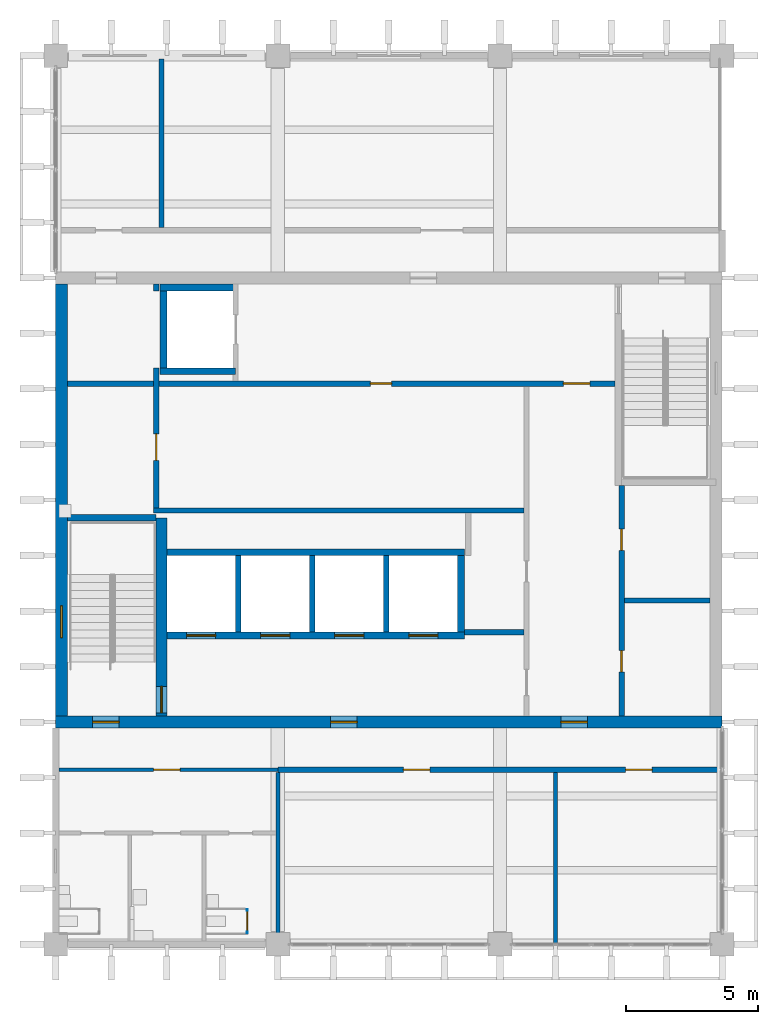
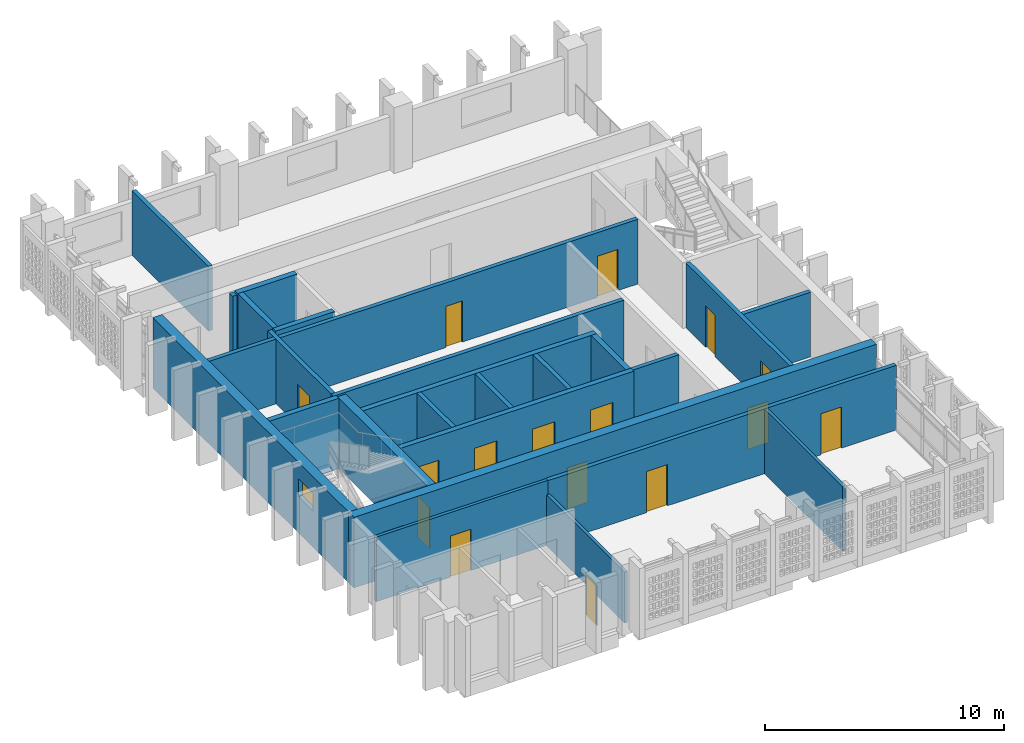
# One storey, part 5 of 13: 26 walls, 17 doors, 1 window, 18 openings.
"""IFC4 building model written with IfcOpenShell, lengths in metres."""

from ifc_helpers import new_model, si_unit, direction, frame, frame_2d, origin, place, context, subcontext, project, spatial, rectangle, extrude, material, layer, layer_set, type_object, element, fill, save


model = new_model("IFC4")

# Units and contexts
model_context = context("Model", 3, precision=1e-05, world=origin(), true_north=direction((0.0, 1.0)))
body_context = subcontext(model_context, "Body", "Model", "MODEL_VIEW")
ifc_project = project(units=[si_unit("LENGTHUNIT", "METRE"), si_unit("AREAUNIT", "SQUARE_METRE"), si_unit("VOLUMEUNIT", "CUBIC_METRE"), si_unit("PLANEANGLEUNIT", "RADIAN"), si_unit("MASSUNIT", "GRAM", prefix="KILO")], contexts=[model_context])

# Site, building, storey
site_placement = place(None, origin())
site = spatial("IfcSite", under=ifc_project, at=site_placement, CompositionType="ELEMENT")
building_placement = place(site_placement, origin())
building = spatial("IfcBuilding", under=site, at=building_placement, Name="Rulbaag Community and Learning Centre", CompositionType="ELEMENT")
storey_placement = place(building_placement, frame((0.0, 0.0, 25.199951171875)))
storey = spatial("IfcBuildingStorey", under=building, at=storey_placement, Name="L06", CompositionType="ELEMENT", Elevation=25.199951171875)

# Wall, opening, door
ifc_material_1 = material(Name="High pressure laminate", Category="wood")
ifc_layer_1 = layer(ifc_material_1, 0.0400390625)
ifc_layer_set_1 = layer_set([ifc_layer_1], Name="CP-40")
wall_type_1 = type_object("IfcWallType", Name="CP-40", PredefinedType="PARTITIONING", material=ifc_layer_set_1)
wall_1_placement = place(storey_placement, frame((150.050048828125, 84.419921875, 0.0), z_axis=(0.0, 0.0, 1.0), x_axis=(0.0, 1.0, 0.0)))
wall_1 = element("IfcWall", 1, at=wall_1_placement, inside=storey, type_object=wall_type_1, Name="Cubicle partition", PredefinedType="PARTITIONING", context=body_context, shape_type="SweptSolid", body=[
    extrude(rectangle(XDim=0.900146484375, YDim=0.0400390625, at=frame_2d((0.4501953125, 0.0))), origin(), (0.0, 0.0, 1.0), 2.0),
])
opening_1_placement = place(wall_1_placement, frame((0.050048828125, 0.0, 0.0)))
opening_1 = element("IfcOpeningElement", 2, at=opening_1_placement, cuts=wall_1, Name="Opening L06-D013", PredefinedType="OPENING", context=body_context, shape_type="SweptSolid", body=[
    extrude(rectangle(XDim=0.800048828125, YDim=2.0, at=frame_2d((0.39990234375, 1.0))), frame((0.0, 0.030029296875, 0.0), z_axis=(0.0, -1.0, 0.0), x_axis=(1.0, 0.0, 0.0)), (0.0, 0.0, 1.0), 0.06005859375),
])
door_type_1 = type_object("IfcDoorType", Name="DC-80", OperationType="SINGLE_SWING_LEFT", PredefinedType="DOOR", material=ifc_material_1)
door_1_placement = place(opening_1_placement, origin())
door_1 = element("IfcDoor", 3, at=door_1_placement, inside=storey, type_object=door_type_1, Name="Cubicle door", OperationType="SINGLE_SWING_LEFT", OverallHeight=2.0, OverallWidth=0.800048828125, PredefinedType="DOOR", context=body_context, shape_type="SweptSolid", body=[
    extrude(rectangle(XDim=0.800048828125, YDim=2.0, at=frame_2d((0.39990234375, 1.0))), frame((0.0, 0.019775390625, 0.0), z_axis=(0.0, -1.0, 0.0), x_axis=(1.0, 0.0, 0.0)), (0.0, 0.0, 1.0), 0.03955078125),
])
fill(opening_1, door_1)

# Wall, openings, doors
ifc_material_2 = material(Name="Concrete blockwork", Category="masonry")
ifc_layer_2 = layer(ifc_material_2, 0.199951171875)
ifc_layer_set_2 = layer_set([ifc_layer_2], Name="FW-200 FIRE WALL 200")
wall_type_2 = type_object("IfcWallType", Name="FW-200 FIRE WALL 200", PredefinedType="SOLIDWALL", material=ifc_layer_set_2)
wall_2_placement = place(storey_placement, frame((151.199951171875, 90.60009765625, 0.0), z_axis=(0.0, 0.0, 1.0), x_axis=(1.0, 0.0, 0.0)))
wall_2 = element("IfcWall", 4, at=wall_2_placement, inside=storey, type_object=wall_type_2, Name="Fire wall L06 3", PredefinedType="SOLIDWALL", context=body_context, shape_type="SweptSolid", body=[
    extrude(rectangle(XDim=16.800048828125, YDim=0.199951171875, at=frame_2d((8.39990234375, 0.0))), origin(), (0.0, 0.0, 1.0), 3.300048828125),
])
opening_2_placement = place(wall_2_placement, frame((4.75, 0.0, 0.0)))
opening_2 = element("IfcOpeningElement", 5, at=opening_2_placement, cuts=wall_2, Name="Opening L06-D018", PredefinedType="OPENING", context=body_context, shape_type="SweptSolid", body=[
    extrude(rectangle(XDim=1.0, YDim=2.10009765625, at=frame_2d((0.5, 1.050048828125))), frame((0.0, 0.10986328125, 0.0), z_axis=(0.0, -1.0, 0.0), x_axis=(1.0, 0.0, 0.0)), (0.0, 0.0, 1.0), 0.219970703125),
])
opening_3_placement = place(wall_2_placement, frame((13.14990234375, 0.0, 0.0)))
opening_3 = element("IfcOpeningElement", 6, at=opening_3_placement, cuts=wall_2, Name="Opening L06-D029", PredefinedType="OPENING", context=body_context, shape_type="SweptSolid", body=[
    extrude(rectangle(XDim=1.0, YDim=2.10009765625, at=frame_2d((0.5, 1.050048828125))), frame((0.0, 0.10986328125, 0.0), z_axis=(0.0, -1.0, 0.0), x_axis=(1.0, 0.0, 0.0)), (0.0, 0.0, 1.0), 0.219970703125),
])
ifc_material_3 = material(Name="Galvanised steel", Category="steel")
door_type_2 = type_object("IfcDoorType", Name="FD-1000 FIRE DOOR 1000 x 2100", OperationType="SINGLE_SWING_LEFT", PredefinedType="DOOR", material=ifc_material_3)
door_2_placement = place(opening_2_placement, origin())
door_2 = element("IfcDoor", 7, at=door_2_placement, inside=storey, type_object=door_type_2, Name="Door L06-D018", OperationType="SINGLE_SWING_LEFT", OverallHeight=2.10009765625, OverallWidth=1.0, PredefinedType="DOOR", context=body_context, shape_type="SweptSolid", body=[
    extrude(rectangle(XDim=1.0, YDim=2.10009765625, at=frame_2d((0.5, 1.050048828125))), frame((0.0, 0.02490234375, 0.0), z_axis=(0.0, -1.0, 0.0), x_axis=(1.0, 0.0, 0.0)), (0.0, 0.0, 1.0), 0.050048828125),
])
fill(opening_2, door_2)
door_3_placement = place(opening_3_placement, origin())
door_3 = element("IfcDoor", 8, at=door_3_placement, inside=storey, type_object=door_type_2, Name="Door L06-D029", OperationType="SINGLE_SWING_RIGHT", OverallHeight=2.10009765625, OverallWidth=1.0, PredefinedType="DOOR", context=body_context, shape_type="SweptSolid", body=[
    extrude(rectangle(XDim=1.0, YDim=2.10009765625, at=frame_2d((0.5, 1.050048828125))), frame((0.0, 0.02490234375, 0.0), z_axis=(0.0, -1.0, 0.0), x_axis=(1.0, 0.0, 0.0)), (0.0, 0.0, 1.0), 0.050048828125),
])
fill(opening_3, door_3)

# Walls
wall_3_placement = place(storey_placement, frame((158.25, 95.800048828125, 0.0), z_axis=(0.0, 0.0, 1.0), x_axis=(1.0, 0.0, 0.0)))
element("IfcWall", 9, at=wall_3_placement, inside=storey, type_object=wall_type_2, Name="Fire wall L06 5", PredefinedType="SOLIDWALL", context=body_context, shape_type="SweptSolid", body=[
    extrude(rectangle(XDim=2.25, YDim=0.199951171875, at=frame_2d((1.125, 0.0))), origin(), (0.0, 0.0, 1.0), 3.300048828125),
])
wall_4_placement = place(storey_placement, frame((164.300048828125, 97.0, 0.0), z_axis=(0.0, 0.0, 1.0), x_axis=(1.0, 0.0, 0.0)))
element("IfcWall", 10, at=wall_4_placement, inside=storey, type_object=wall_type_2, Name="Fire wall L06 6", PredefinedType="SOLIDWALL", context=body_context, shape_type="SweptSolid", body=[
    extrude(rectangle(XDim=3.25, YDim=0.199951171875, at=frame_2d((1.625, 0.0))), origin(), (0.0, 0.0, 1.0), 3.300048828125),
])
wall_5_placement = place(storey_placement, frame((146.5, 100.39990234375, 0.0), z_axis=(0.0, 0.0, 1.0), x_axis=(1.0, 0.0, 0.0)))
element("IfcWall", 11, at=wall_5_placement, inside=storey, type_object=wall_type_2, Name="Fire wall L06 8", PredefinedType="SOLIDWALL", context=body_context, shape_type="SweptSolid", body=[
    extrude(rectangle(XDim=14.0, YDim=0.199951171875, at=frame_2d((7.0, 0.0))), origin(), (0.0, 0.0, 1.0), 3.300048828125),
])

# Wall, openings, doors
wall_6_placement = place(storey_placement, frame((143.25, 105.199951171875, 0.0), z_axis=(0.0, 0.0, 1.0), x_axis=(1.0, 0.0, 0.0)))
wall_6 = element("IfcWall", 12, at=wall_6_placement, inside=storey, type_object=wall_type_2, Name="Fire wall L06 9", PredefinedType="SOLIDWALL", context=body_context, shape_type="SweptSolid", body=[
    extrude(rectangle(XDim=20.699951171875, YDim=0.199951171875, at=frame_2d((10.35009765625, 0.0))), origin(), (0.0, 0.0, 1.0), 3.300048828125),
])
opening_4_placement = place(wall_6_placement, frame((11.449951171875, 0.0, 0.0)))
opening_4 = element("IfcOpeningElement", 13, at=opening_4_placement, cuts=wall_6, Name="Opening L06-D017", PredefinedType="OPENING", context=body_context, shape_type="SweptSolid", body=[
    extrude(rectangle(XDim=0.800048828125, YDim=2.10009765625, at=frame_2d((0.39990234375, 1.050048828125))), frame((0.0, 0.10986328125, 0.0), z_axis=(0.0, -1.0, 0.0), x_axis=(1.0, 0.0, 0.0)), (0.0, 0.0, 1.0), 0.219970703125),
])
opening_5_placement = place(wall_6_placement, frame((18.75, 0.0, 0.0)))
opening_5 = element("IfcOpeningElement", 14, at=opening_5_placement, cuts=wall_6, Name="Opening L06-D025", PredefinedType="OPENING", context=body_context, shape_type="SweptSolid", body=[
    extrude(rectangle(XDim=1.0, YDim=2.10009765625, at=frame_2d((0.5, 1.050048828125))), frame((0.0, 0.10986328125, 0.0), z_axis=(0.0, -1.0, 0.0), x_axis=(1.0, 0.0, 0.0)), (0.0, 0.0, 1.0), 0.219970703125),
])
door_4_placement = place(opening_5_placement, origin())
door_4 = element("IfcDoor", 15, at=door_4_placement, inside=storey, type_object=door_type_2, Name="Door L06-D025", OperationType="SINGLE_SWING_LEFT", OverallHeight=2.10009765625, OverallWidth=1.0, PredefinedType="DOOR", context=body_context, shape_type="SweptSolid", body=[
    extrude(rectangle(XDim=1.0, YDim=2.10009765625, at=frame_2d((0.5, 1.050048828125))), frame((0.0, 0.02490234375, 0.0), z_axis=(0.0, -1.0, 0.0), x_axis=(1.0, 0.0, 0.0)), (0.0, 0.0, 1.0), 0.050048828125),
])
fill(opening_5, door_4)
door_type_3 = type_object("IfcDoorType", Name="FDR-800 RISER FIRE DOOR 800 x 2100", OperationType="SINGLE_SWING_LEFT", PredefinedType="DOOR", material=ifc_material_3)
door_5_placement = place(opening_4_placement, origin())
door_5 = element("IfcDoor", 16, at=door_5_placement, inside=storey, type_object=door_type_3, Name="Riser door L06-D020", OperationType="SINGLE_SWING_RIGHT", OverallHeight=2.10009765625, OverallWidth=0.800048828125, PredefinedType="DOOR", context=body_context, shape_type="SweptSolid", body=[
    extrude(rectangle(XDim=0.800048828125, YDim=2.10009765625, at=frame_2d((0.39990234375, 1.050048828125))), frame((0.0, 0.02490234375, 0.0), z_axis=(0.0, -1.0, 0.0), x_axis=(1.0, 0.0, 0.0)), (0.0, 0.0, 1.0), 0.050048828125),
])
fill(opening_4, door_5)

# Wall, opening, door
wall_7_placement = place(storey_placement, frame((146.60009765625, 100.5, 0.0), z_axis=(0.0, 0.0, 1.0), x_axis=(0.0, 1.0, 0.0)))
wall_7 = element("IfcWall", 17, at=wall_7_placement, inside=storey, type_object=wall_type_2, Name="Fire wall L06 12", PredefinedType="SOLIDWALL", context=body_context, shape_type="SweptSolid", body=[
    extrude(rectangle(XDim=5.300048828125, YDim=0.199951171875, at=frame_2d((2.64990234375, 0.0))), origin(), (0.0, 0.0, 1.0), 3.300048828125),
])
opening_6_placement = place(wall_7_placement, frame((1.800048828125, 0.0, 0.0)))
opening_6 = element("IfcOpeningElement", 18, at=opening_6_placement, cuts=wall_7, Name="Opening L06-D006", PredefinedType="OPENING", context=body_context, shape_type="SweptSolid", body=[
    extrude(rectangle(XDim=1.0, YDim=2.10009765625, at=frame_2d((0.5, 1.050048828125))), frame((0.0, 0.10986328125, 0.0), z_axis=(0.0, -1.0, 0.0), x_axis=(1.0, 0.0, 0.0)), (0.0, 0.0, 1.0), 0.219970703125),
])
door_6_placement = place(opening_6_placement, origin())
door_6 = element("IfcDoor", 19, at=door_6_placement, inside=storey, type_object=door_type_2, Name="Door L06-D006", OperationType="SINGLE_SWING_LEFT", OverallHeight=2.10009765625, OverallWidth=1.0, PredefinedType="DOOR", context=body_context, shape_type="SweptSolid", body=[
    extrude(rectangle(XDim=1.0, YDim=2.10009765625, at=frame_2d((0.5, 1.050048828125))), frame((0.0, 0.02490234375, 0.0), z_axis=(0.0, -1.0, 0.0), x_axis=(1.0, 0.0, 0.0)), (0.0, 0.0, 1.0), 0.050048828125),
])
fill(opening_6, door_6)

# Walls
wall_8_placement = place(storey_placement, frame((146.60009765625, 108.699951171875, 0.0), z_axis=(0.0, 0.0, 1.0), x_axis=(0.0, 1.0, 0.0)))
element("IfcWall", 20, at=wall_8_placement, inside=storey, type_object=wall_type_2, Name="Fire wall L06 13", PredefinedType="SOLIDWALL", context=body_context, shape_type="SweptSolid", body=[
    extrude(rectangle(XDim=0.275146484375, YDim=0.199951171875, at=frame_2d((0.1376953125, 0.0))), origin(), (0.0, 0.0, 1.0), 3.300048828125),
])
wall_9_placement = place(storey_placement, frame((146.800048828125, 111.10009765625, 0.0), z_axis=(0.0, 0.0, 1.0), x_axis=(0.0, 1.0, 0.0)))
element("IfcWall", 21, at=wall_9_placement, inside=storey, type_object=wall_type_2, Name="Fire wall L06 14", PredefinedType="SOLIDWALL", context=body_context, shape_type="SweptSolid", body=[
    extrude(rectangle(XDim=6.375, YDim=0.199951171875, at=frame_2d((3.1875, 0.0))), origin(), (0.0, 0.0, 1.0), 3.300048828125),
])

# Wall, openings, doors
wall_10_placement = place(storey_placement, frame((164.199951171875, 92.625, 0.0), z_axis=(0.0, 0.0, 1.0), x_axis=(0.0, 1.0, 0.0)))
wall_10 = element("IfcWall", 22, at=wall_10_placement, inside=storey, type_object=wall_type_2, Name="Fire wall L06 21", PredefinedType="SOLIDWALL", context=body_context, shape_type="SweptSolid", body=[
    extrude(rectangle(XDim=8.72509765625, YDim=0.199951171875, at=frame_2d((4.362548828125, 0.0))), origin(), (0.0, 0.0, 1.0), 3.300048828125),
])
opening_7_placement = place(wall_10_placement, frame((1.675048828125, 0.0, 0.0)))
opening_7 = element("IfcOpeningElement", 23, at=opening_7_placement, cuts=wall_10, Name="Opening L06-D027", PredefinedType="OPENING", context=body_context, shape_type="SweptSolid", body=[
    extrude(rectangle(XDim=0.800048828125, YDim=2.10009765625, at=frame_2d((0.39990234375, 1.050048828125))), frame((0.0, 0.10986328125, 0.0), z_axis=(0.0, -1.0, 0.0), x_axis=(1.0, 0.0, 0.0)), (0.0, 0.0, 1.0), 0.219970703125),
])
opening_8_placement = place(wall_10_placement, frame((6.27490234375, 0.0, 0.0)))
opening_8 = element("IfcOpeningElement", 24, at=opening_8_placement, cuts=wall_10, Name="Opening L06-D028", PredefinedType="OPENING", context=body_context, shape_type="SweptSolid", body=[
    extrude(rectangle(XDim=0.800048828125, YDim=2.10009765625, at=frame_2d((0.39990234375, 1.050048828125))), frame((0.0, 0.10986328125, 0.0), z_axis=(0.0, -1.0, 0.0), x_axis=(1.0, 0.0, 0.0)), (0.0, 0.0, 1.0), 0.219970703125),
])
door_7_placement = place(opening_7_placement, origin())
door_7 = element("IfcDoor", 25, at=door_7_placement, inside=storey, type_object=door_type_3, Name="Riser door L06-D017", OperationType="SINGLE_SWING_LEFT", OverallHeight=2.10009765625, OverallWidth=0.800048828125, PredefinedType="DOOR", context=body_context, shape_type="SweptSolid", body=[
    extrude(rectangle(XDim=0.800048828125, YDim=2.10009765625, at=frame_2d((0.39990234375, 1.050048828125))), frame((0.0, 0.02490234375, 0.0), z_axis=(0.0, -1.0, 0.0), x_axis=(1.0, 0.0, 0.0)), (0.0, 0.0, 1.0), 0.050048828125),
])
fill(opening_7, door_7)
door_8_placement = place(opening_8_placement, origin())
door_8 = element("IfcDoor", 26, at=door_8_placement, inside=storey, type_object=door_type_3, Name="Riser door L06-D018", OperationType="SINGLE_SWING_RIGHT", OverallHeight=2.10009765625, OverallWidth=0.800048828125, PredefinedType="DOOR", context=body_context, shape_type="SweptSolid", body=[
    extrude(rectangle(XDim=0.800048828125, YDim=2.10009765625, at=frame_2d((0.39990234375, 1.050048828125))), frame((0.0, 0.02490234375, 0.0), z_axis=(0.0, -1.0, 0.0), x_axis=(1.0, 0.0, 0.0)), (0.0, 0.0, 1.0), 0.050048828125),
])
fill(opening_8, door_8)

# Wall, opening, door
ifc_layer_3 = layer(ifc_material_2, 0.14990234375)
ifc_layer_set_3 = layer_set([ifc_layer_3], Name="IP-150 PARTITION 150")
wall_type_3 = type_object("IfcWallType", Name="IP-150 PARTITION 150", PredefinedType="PARTITIONING", material=ifc_layer_set_3)
wall_11_placement = place(storey_placement, frame((142.925048828125, 90.60009765625, 0.0), z_axis=(0.0, 0.0, 1.0), x_axis=(1.0, 0.0, 0.0)))
wall_11 = element("IfcWall", 27, at=wall_11_placement, inside=storey, type_object=wall_type_3, Name="Partition L06 2", PredefinedType="PARTITIONING", context=body_context, shape_type="SweptSolid", body=[
    extrude(rectangle(XDim=8.27490234375, YDim=0.14990234375, at=frame_2d((4.137451171875, 0.0))), origin(), (0.0, 0.0, 1.0), 3.300048828125),
])
opening_9_placement = place(wall_11_placement, frame((3.574951171875, 0.0, 0.0)))
opening_9 = element("IfcOpeningElement", 28, at=opening_9_placement, cuts=wall_11, Name="Opening L06-D009", PredefinedType="OPENING", context=body_context, shape_type="SweptSolid", body=[
    extrude(rectangle(XDim=1.0, YDim=2.10009765625, at=frame_2d((0.5, 1.050048828125))), frame((0.0, 0.0849609375, 0.0), z_axis=(0.0, -1.0, 0.0), x_axis=(1.0, 0.0, 0.0)), (0.0, 0.0, 1.0), 0.169921875),
])
ifc_material_4 = material(Name="Timber", Category="wood")
door_type_4 = type_object("IfcDoorType", Name="D-1000 DOOR 1000 x 2100", OperationType="SINGLE_SWING_LEFT", PredefinedType="DOOR", material=ifc_material_4)
door_9_placement = place(opening_9_placement, origin())
door_9 = element("IfcDoor", 29, at=door_9_placement, inside=storey, type_object=door_type_4, Name="Door L06-D009", OperationType="SINGLE_SWING_RIGHT", OverallHeight=2.10009765625, OverallWidth=1.0, PredefinedType="DOOR", context=body_context, shape_type="SweptSolid", body=[
    extrude(rectangle(XDim=1.0, YDim=2.10009765625, at=frame_2d((0.5, 1.050048828125))), frame((0.0, 0.02490234375, 0.0), z_axis=(0.0, -1.0, 0.0), x_axis=(1.0, 0.0, 0.0)), (0.0, 0.0, 1.0), 0.050048828125),
])
fill(opening_9, door_9)

# Walls
wall_12_placement = place(storey_placement, frame((151.199951171875, 84.0, 0.0), z_axis=(0.0, 0.0, 1.0), x_axis=(0.0, 1.0, 0.0)))
element("IfcWall", 30, at=wall_12_placement, inside=storey, type_object=wall_type_3, Name="Partition L06 17", PredefinedType="PARTITIONING", context=body_context, shape_type="SweptSolid", body=[
    extrude(rectangle(XDim=6.5, YDim=0.14990234375, at=frame_2d((3.25, 0.0))), origin(), (0.0, 0.0, 1.0), 2.60009765625),
])
wall_13_placement = place(storey_placement, frame((161.699951171875, 84.0, 0.0), z_axis=(0.0, 0.0, 1.0), x_axis=(0.0, 1.0, 0.0)))
element("IfcWall", 31, at=wall_13_placement, inside=storey, type_object=wall_type_3, Name="Partition L06 20", PredefinedType="PARTITIONING", context=body_context, shape_type="SweptSolid", body=[
    extrude(rectangle(XDim=6.5, YDim=0.14990234375, at=frame_2d((3.25, 0.0))), origin(), (0.0, 0.0, 1.0), 3.300048828125),
])

# Wall, openings, doors
ifc_material_5 = material(Name="Concrete M60", Category="concrete")
ifc_layer_4 = layer(ifc_material_5, 0.449951171875)
ifc_layer_set_4 = layer_set([ifc_layer_4], Name="W1 Core wall 450 Concrete M60")
wall_type_4 = type_object("IfcWallType", Name="W1 Core wall 450 Concrete M60", PredefinedType="SHEAR", material=ifc_layer_set_4)
wall_14_placement = place(storey_placement, frame((142.800048828125, 92.39990234375, -0.25), z_axis=(0.0, 0.0, 1.0), x_axis=(1.0, 0.0, 0.0)))
wall_14 = element("IfcWall", 32, at=wall_14_placement, inside=storey, type_object=wall_type_4, Name="WL-CORE-S-L06", PredefinedType="SHEAR", context=body_context, shape_type="SweptSolid", body=[
    extrude(rectangle(XDim=25.199951171875, YDim=0.449951171875, at=frame_2d((12.60009765625, 0.0))), origin(), (0.0, 0.0, 1.0), 3.60009765625),
])
opening_10_placement = place(wall_14_placement, frame((1.39990234375, 0.0, 0.25)))
opening_10 = element("IfcOpeningElement", 33, at=opening_10_placement, cuts=wall_14, Name="Opening L06-D003", PredefinedType="OPENING", context=body_context, shape_type="SweptSolid", body=[
    extrude(rectangle(XDim=1.0, YDim=2.10009765625, at=frame_2d((0.5, 1.050048828125))), frame((0.0, 0.23486328125, 0.0), z_axis=(0.0, -1.0, 0.0), x_axis=(1.0, 0.0, 0.0)), (0.0, 0.0, 1.0), 0.469970703125),
])
opening_11_placement = place(wall_14_placement, frame((19.10009765625, 0.0, 0.25)))
opening_11 = element("IfcOpeningElement", 34, at=opening_11_placement, cuts=wall_14, Name="Opening L06-D024", PredefinedType="OPENING", context=body_context, shape_type="SweptSolid", body=[
    extrude(rectangle(XDim=1.0, YDim=2.10009765625, at=frame_2d((0.5, 1.050048828125))), frame((0.0, 0.23486328125, 0.0), z_axis=(0.0, -1.0, 0.0), x_axis=(1.0, 0.0, 0.0)), (0.0, 0.0, 1.0), 0.469970703125),
])
opening_12_placement = place(wall_14_placement, frame((10.39990234375, 0.0, 0.25)))
opening_12 = element("IfcOpeningElement", 35, at=opening_12_placement, cuts=wall_14, Name="Opening L06-D015", PredefinedType="OPENING", context=body_context, shape_type="SweptSolid", body=[
    extrude(rectangle(XDim=1.0, YDim=2.10009765625, at=frame_2d((0.5, 1.050048828125))), frame((0.0, 0.23486328125, 0.0), z_axis=(0.0, -1.0, 0.0), x_axis=(1.0, 0.0, 0.0)), (0.0, 0.0, 1.0), 0.469970703125),
])
door_10_placement = place(opening_11_placement, origin())
door_10 = element("IfcDoor", 36, at=door_10_placement, inside=storey, type_object=door_type_4, Name="Door L06-D024", OperationType="SINGLE_SWING_LEFT", OverallHeight=2.10009765625, OverallWidth=1.0, PredefinedType="DOOR", context=body_context, shape_type="SweptSolid", body=[
    extrude(rectangle(XDim=1.0, YDim=2.10009765625, at=frame_2d((0.5, 1.050048828125))), frame((0.0, 0.02490234375, 0.0), z_axis=(0.0, -1.0, 0.0), x_axis=(1.0, 0.0, 0.0)), (0.0, 0.0, 1.0), 0.050048828125),
])
fill(opening_11, door_10)
door_11_placement = place(opening_10_placement, origin())
door_11 = element("IfcDoor", 37, at=door_11_placement, inside=storey, type_object=door_type_2, Name="Door L06-D003", OperationType="SINGLE_SWING_RIGHT", OverallHeight=2.10009765625, OverallWidth=1.0, PredefinedType="DOOR", context=body_context, shape_type="SweptSolid", body=[
    extrude(rectangle(XDim=1.0, YDim=2.10009765625, at=frame_2d((0.5, 1.050048828125))), frame((0.0, 0.02490234375, 0.0), z_axis=(0.0, -1.0, 0.0), x_axis=(1.0, 0.0, 0.0)), (0.0, 0.0, 1.0), 0.050048828125),
])
fill(opening_10, door_11)
door_12_placement = place(opening_12_placement, origin())
door_12 = element("IfcDoor", 38, at=door_12_placement, inside=storey, type_object=door_type_2, Name="Door L06-D015", OperationType="SINGLE_SWING_RIGHT", OverallHeight=2.10009765625, OverallWidth=1.0, PredefinedType="DOOR", context=body_context, shape_type="SweptSolid", body=[
    extrude(rectangle(XDim=1.0, YDim=2.10009765625, at=frame_2d((0.5, 1.050048828125))), frame((0.0, 0.02490234375, 0.0), z_axis=(0.0, -1.0, 0.0), x_axis=(1.0, 0.0, 0.0)), (0.0, 0.0, 1.0), 0.050048828125),
])
fill(opening_12, door_12)

# Wall, opening, window
wall_15_placement = place(storey_placement, frame((143.02490234375, 92.625, -0.25), z_axis=(0.0, 0.0, 1.0), x_axis=(0.0, 1.0, 0.0)))
wall_15 = element("IfcWall", 39, at=wall_15_placement, inside=storey, type_object=wall_type_4, Name="WL-CORE-W-L06", PredefinedType="SHEAR", context=body_context, shape_type="SweptSolid", body=[
    extrude(rectangle(XDim=16.35009765625, YDim=0.449951171875, at=frame_2d((8.175048828125, 0.0))), origin(), (0.0, 0.0, 1.0), 3.60009765625),
])
opening_13_placement = place(wall_15_placement, frame((2.97509765625, 0.0, 1.85009765625)))
opening_13 = element("IfcOpeningElement", 40, at=opening_13_placement, cuts=wall_15, Name="Opening WN19", PredefinedType="OPENING", context=body_context, shape_type="SweptSolid", body=[
    extrude(rectangle(XDim=1.199951171875, YDim=0.89990234375, at=frame_2d((0.60009765625, 0.449951171875))), frame((0.0, 0.23486328125, 0.0), z_axis=(0.0, -1.0, 0.0), x_axis=(1.0, 0.0, 0.0)), (0.0, 0.0, 1.0), 0.469970703125),
])
ifc_material_6 = material(Name="Aluminium", Category="aluminium")
window_type = type_object("IfcWindowType", Name="WS-12", PartitioningType="SINGLE_PANEL", PredefinedType="WINDOW", material=ifc_material_6)
window_placement = place(opening_13_placement, origin())
window = element("IfcWindow", 41, at=window_placement, inside=storey, type_object=window_type, Name="Stair window", OverallHeight=0.89990234375, OverallWidth=1.199951171875, PartitioningType="SINGLE_PANEL", PredefinedType="WINDOW", context=body_context, shape_type="SweptSolid", body=[
    extrude(rectangle(XDim=1.199951171875, YDim=0.89990234375, at=frame_2d((0.60009765625, 0.449951171875))), frame((0.0, 0.030029296875, 0.0), z_axis=(0.0, -1.0, 0.0), x_axis=(1.0, 0.0, 0.0)), (0.0, 0.0, 1.0), 0.06005859375),
])
fill(opening_13, window)

# Walls
ifc_material_7 = material(Name="Concrete M40", Category="concrete")
ifc_layer_5 = layer(ifc_material_7, 0.27490234375)
ifc_layer_set_5 = layer_set([ifc_layer_5], Name="W16 Shaft wall 275 Concrete M40")
wall_type_5 = type_object("IfcWallType", Name="W16 Shaft wall 275 Concrete M40", PredefinedType="SHEAR", material=ifc_layer_set_5)
wall_16_placement = place(storey_placement, frame((146.75, 108.83740234375, -0.25), z_axis=(0.0, 0.0, 1.0), x_axis=(1.0, 0.0, 0.0)))
element("IfcWall", 42, at=wall_16_placement, inside=storey, type_object=wall_type_5, Name="WL-LF-N-L06", PredefinedType="SHEAR", context=body_context, shape_type="SweptSolid", body=[
    extrude(rectangle(XDim=2.85009765625, YDim=0.27490234375, at=frame_2d((1.425048828125, 0.0))), origin(), (0.0, 0.0, 1.0), 3.60009765625),
])
ifc_layer_6 = layer(ifc_material_7, 0.25)
ifc_layer_set_6 = layer_set([ifc_layer_6], Name="W5 Shaft wall 250 Concrete M40")
wall_type_6 = type_object("IfcWallType", Name="W5 Shaft wall 250 Concrete M40", PredefinedType="SHEAR", material=ifc_layer_set_6)
wall_17_placement = place(storey_placement, frame((143.25, 100.125, -0.25), z_axis=(0.0, 0.0, 1.0), x_axis=(1.0, 0.0, 0.0)))
element("IfcWall", 43, at=wall_17_placement, inside=storey, type_object=wall_type_6, Name="WL-ST1-N-L06", PredefinedType="SHEAR", context=body_context, shape_type="SweptSolid", body=[
    extrude(rectangle(XDim=3.35009765625, YDim=0.25, at=frame_2d((1.675048828125, 0.0))), origin(), (0.0, 0.0, 1.0), 3.60009765625),
])

# Wall, openings, doors
wall_18_placement = place(storey_placement, frame((147.0, 95.675048828125, -0.25), z_axis=(0.0, 0.0, 1.0), x_axis=(1.0, 0.0, 0.0)))
wall_18 = element("IfcWall", 44, at=wall_18_placement, inside=storey, type_object=wall_type_6, Name="WL-LP-S-L06", PredefinedType="SHEAR", context=body_context, shape_type="SweptSolid", body=[
    extrude(rectangle(XDim=11.25, YDim=0.25, at=frame_2d((5.625, 0.0))), origin(), (0.0, 0.0, 1.0), 3.60009765625),
])
opening_14_placement = place(wall_18_placement, frame((0.75, 0.0, 0.25)))
opening_14 = element("IfcOpeningElement", 45, at=opening_14_placement, cuts=wall_18, Name="Opening L06-D010", PredefinedType="OPENING", context=body_context, shape_type="SweptSolid", body=[
    extrude(rectangle(XDim=1.10009765625, YDim=2.10009765625, at=frame_2d((0.550048828125, 1.050048828125))), frame((0.0, 0.135009765625, 0.0), z_axis=(0.0, -1.0, 0.0), x_axis=(1.0, 0.0, 0.0)), (0.0, 0.0, 1.0), 0.27001953125),
])
opening_15_placement = place(wall_18_placement, frame((3.550048828125, 0.0, 0.25)))
opening_15 = element("IfcOpeningElement", 46, at=opening_15_placement, cuts=wall_18, Name="Opening L06-D014", PredefinedType="OPENING", context=body_context, shape_type="SweptSolid", body=[
    extrude(rectangle(XDim=1.10009765625, YDim=2.10009765625, at=frame_2d((0.550048828125, 1.050048828125))), frame((0.0, 0.135009765625, 0.0), z_axis=(0.0, -1.0, 0.0), x_axis=(1.0, 0.0, 0.0)), (0.0, 0.0, 1.0), 0.27001953125),
])
opening_16_placement = place(wall_18_placement, frame((6.35009765625, 0.0, 0.25)))
opening_16 = element("IfcOpeningElement", 47, at=opening_16_placement, cuts=wall_18, Name="Opening L06-D016", PredefinedType="OPENING", context=body_context, shape_type="SweptSolid", body=[
    extrude(rectangle(XDim=1.10009765625, YDim=2.10009765625, at=frame_2d((0.550048828125, 1.050048828125))), frame((0.0, 0.135009765625, 0.0), z_axis=(0.0, -1.0, 0.0), x_axis=(1.0, 0.0, 0.0)), (0.0, 0.0, 1.0), 0.27001953125),
])
opening_17_placement = place(wall_18_placement, frame((9.14990234375, 0.0, 0.25)))
opening_17 = element("IfcOpeningElement", 48, at=opening_17_placement, cuts=wall_18, Name="Opening L06-D019", PredefinedType="OPENING", context=body_context, shape_type="SweptSolid", body=[
    extrude(rectangle(XDim=1.10009765625, YDim=2.10009765625, at=frame_2d((0.550048828125, 1.050048828125))), frame((0.0, 0.135009765625, 0.0), z_axis=(0.0, -1.0, 0.0), x_axis=(1.0, 0.0, 0.0)), (0.0, 0.0, 1.0), 0.27001953125),
])
ifc_material_8 = material(Name="Stainless steel grade 304", Category="steel")
door_type_5 = type_object("IfcDoorType", Name="LD-1100 LIFT LANDING DOOR 1100 x 2100", OperationType="SLIDING_TO_LEFT", PredefinedType="DOOR", material=ifc_material_8)
door_13_placement = place(opening_14_placement, origin())
door_13 = element("IfcDoor", 49, at=door_13_placement, inside=storey, type_object=door_type_5, Name="Lift landing door LP1 L06", OperationType="SLIDING_TO_LEFT", OverallHeight=2.10009765625, OverallWidth=1.10009765625, PredefinedType="DOOR", context=body_context, shape_type="SweptSolid", body=[
    extrude(rectangle(XDim=1.10009765625, YDim=2.10009765625, at=frame_2d((0.550048828125, 1.050048828125))), frame((0.0, 0.02490234375, 0.0), z_axis=(0.0, -1.0, 0.0), x_axis=(1.0, 0.0, 0.0)), (0.0, 0.0, 1.0), 0.050048828125),
])
fill(opening_14, door_13)
door_14_placement = place(opening_15_placement, origin())
door_14 = element("IfcDoor", 50, at=door_14_placement, inside=storey, type_object=door_type_5, Name="Lift landing door LP2 L06", OperationType="SLIDING_TO_LEFT", OverallHeight=2.10009765625, OverallWidth=1.10009765625, PredefinedType="DOOR", context=body_context, shape_type="SweptSolid", body=[
    extrude(rectangle(XDim=1.10009765625, YDim=2.10009765625, at=frame_2d((0.550048828125, 1.050048828125))), frame((0.0, 0.02490234375, 0.0), z_axis=(0.0, -1.0, 0.0), x_axis=(1.0, 0.0, 0.0)), (0.0, 0.0, 1.0), 0.050048828125),
])
fill(opening_15, door_14)
door_15_placement = place(opening_16_placement, origin())
door_15 = element("IfcDoor", 51, at=door_15_placement, inside=storey, type_object=door_type_5, Name="Lift landing door LP3 L06", OperationType="SLIDING_TO_LEFT", OverallHeight=2.10009765625, OverallWidth=1.10009765625, PredefinedType="DOOR", context=body_context, shape_type="SweptSolid", body=[
    extrude(rectangle(XDim=1.10009765625, YDim=2.10009765625, at=frame_2d((0.550048828125, 1.050048828125))), frame((0.0, 0.02490234375, 0.0), z_axis=(0.0, -1.0, 0.0), x_axis=(1.0, 0.0, 0.0)), (0.0, 0.0, 1.0), 0.050048828125),
])
fill(opening_16, door_15)
door_16_placement = place(opening_17_placement, origin())
door_16 = element("IfcDoor", 52, at=door_16_placement, inside=storey, type_object=door_type_5, Name="Lift landing door LP4 L06", OperationType="SLIDING_TO_LEFT", OverallHeight=2.10009765625, OverallWidth=1.10009765625, PredefinedType="DOOR", context=body_context, shape_type="SweptSolid", body=[
    extrude(rectangle(XDim=1.10009765625, YDim=2.10009765625, at=frame_2d((0.550048828125, 1.050048828125))), frame((0.0, 0.02490234375, 0.0), z_axis=(0.0, -1.0, 0.0), x_axis=(1.0, 0.0, 0.0)), (0.0, 0.0, 1.0), 0.050048828125),
])
fill(opening_17, door_16)

# Walls
wall_19_placement = place(storey_placement, frame((147.0, 98.824951171875, -0.25), z_axis=(0.0, 0.0, 1.0), x_axis=(1.0, 0.0, 0.0)))
element("IfcWall", 53, at=wall_19_placement, inside=storey, type_object=wall_type_6, Name="WL-LP-N-L06", PredefinedType="SHEAR", context=body_context, shape_type="SweptSolid", body=[
    extrude(rectangle(XDim=11.25, YDim=0.25, at=frame_2d((5.625, 0.0))), origin(), (0.0, 0.0, 1.0), 3.60009765625),
])
wall_20_placement = place(storey_placement, frame((158.125, 95.800048828125, -0.25), z_axis=(0.0, 0.0, 1.0), x_axis=(0.0, 1.0, 0.0)))
element("IfcWall", 54, at=wall_20_placement, inside=storey, type_object=wall_type_6, Name="WL-LP-E-L06", PredefinedType="SHEAR", context=body_context, shape_type="SweptSolid", body=[
    extrude(rectangle(XDim=2.89990234375, YDim=0.25, at=frame_2d((1.449951171875, 0.0))), origin(), (0.0, 0.0, 1.0), 3.60009765625),
])
wall_21_placement = place(storey_placement, frame((146.75, 105.675048828125, -0.25), z_axis=(0.0, 0.0, 1.0), x_axis=(1.0, 0.0, 0.0)))
element("IfcWall", 55, at=wall_21_placement, inside=storey, type_object=wall_type_6, Name="WL-LF-S-L06", PredefinedType="SHEAR", context=body_context, shape_type="SweptSolid", body=[
    extrude(rectangle(XDim=2.85009765625, YDim=0.25, at=frame_2d((1.425048828125, 0.0))), origin(), (0.0, 0.0, 1.0), 3.60009765625),
])
wall_22_placement = place(storey_placement, frame((146.875, 105.800048828125, -0.25), z_axis=(0.0, 0.0, 1.0), x_axis=(0.0, 1.0, 0.0)))
element("IfcWall", 56, at=wall_22_placement, inside=storey, type_object=wall_type_6, Name="WL-LF-W-L06", PredefinedType="SHEAR", context=body_context, shape_type="SweptSolid", body=[
    extrude(rectangle(XDim=2.89990234375, YDim=0.25, at=frame_2d((1.449951171875, 0.0))), origin(), (0.0, 0.0, 1.0), 3.60009765625),
])
ifc_layer_7 = layer(ifc_material_7, 0.199951171875)
ifc_layer_set_7 = layer_set([ifc_layer_7], Name="W6 Shaft divider 200 Concrete M40")
wall_type_7 = type_object("IfcWallType", Name="W6 Shaft divider 200 Concrete M40", PredefinedType="SHEAR", material=ifc_layer_set_7)
for number, where, z_axis, x_axis, name in (
    (57, (149.699951171875, 95.800048828125, -0.25), (0.0, 0.0, 1.0), (0.0, 1.0, 0.0), "WL-LP-D1-L06"),
    (58, (152.5, 95.800048828125, -0.25), (0.0, 0.0, 1.0), (0.0, 1.0, 0.0), "WL-LP-D2-L06"),
    (59, (155.300048828125, 95.800048828125, -0.25), (0.0, 0.0, 1.0), (0.0, 1.0, 0.0), "WL-LP-D3-L06"),
):
    element("IfcWall", number, at=place(storey_placement, frame(where, z_axis=z_axis, x_axis=x_axis)), inside=storey, type_object=wall_type_7, Name=name, PredefinedType="SHEAR", context=body_context, shape_type="SweptSolid", body=[
        extrude(rectangle(XDim=2.89990234375, YDim=0.199951171875, at=frame_2d((1.449951171875, 0.0))), origin(), (0.0, 0.0, 1.0), 3.60009765625),
    ])

# Wall, opening, door
ifc_layer_8 = layer(ifc_material_7, 0.39990234375)
ifc_layer_set_8 = layer_set([ifc_layer_8], Name="W7 Stair wall 400 Concrete M40")
wall_type_8 = type_object("IfcWallType", Name="W7 Stair wall 400 Concrete M40", PredefinedType="SHEAR", material=ifc_layer_set_8)
wall_23_placement = place(storey_placement, frame((146.800048828125, 92.625, -0.25), z_axis=(0.0, 0.0, 1.0), x_axis=(0.0, 1.0, 0.0)))
wall_23 = element("IfcWall", 60, at=wall_23_placement, inside=storey, type_object=wall_type_8, Name="WL-ST1-E-L06", PredefinedType="SHEAR", context=body_context, shape_type="SweptSolid", body=[
    extrude(rectangle(XDim=7.5, YDim=0.39990234375, at=frame_2d((3.75, 0.0))), origin(), (0.0, 0.0, 1.0), 3.60009765625),
])
opening_18_placement = place(wall_23_placement, frame((0.125, 0.0, 0.25)))
opening_18 = element("IfcOpeningElement", 61, at=opening_18_placement, cuts=wall_23, Name="Opening L06-D007", PredefinedType="OPENING", context=body_context, shape_type="SweptSolid", body=[
    extrude(rectangle(XDim=1.0, YDim=2.10009765625, at=frame_2d((0.5, 1.050048828125))), frame((0.0, 0.2099609375, 0.0), z_axis=(0.0, -1.0, 0.0), x_axis=(1.0, 0.0, 0.0)), (0.0, 0.0, 1.0), 0.419921875),
])
door_17_placement = place(opening_18_placement, origin())
door_17 = element("IfcDoor", 62, at=door_17_placement, inside=storey, type_object=door_type_2, Name="Door L06-D007", OperationType="SINGLE_SWING_RIGHT", OverallHeight=2.10009765625, OverallWidth=1.0, PredefinedType="DOOR", context=body_context, shape_type="SweptSolid", body=[
    extrude(rectangle(XDim=1.0, YDim=2.10009765625, at=frame_2d((0.5, 1.050048828125))), frame((0.0, 0.02490234375, 0.0), z_axis=(0.0, -1.0, 0.0), x_axis=(1.0, 0.0, 0.0)), (0.0, 0.0, 1.0), 0.050048828125),
])
fill(opening_18, door_17)

save(model, "model.ifc")
